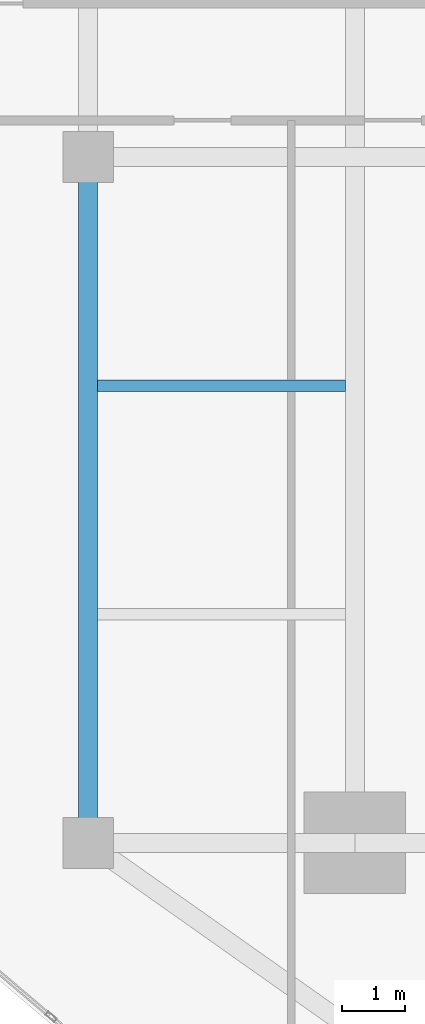
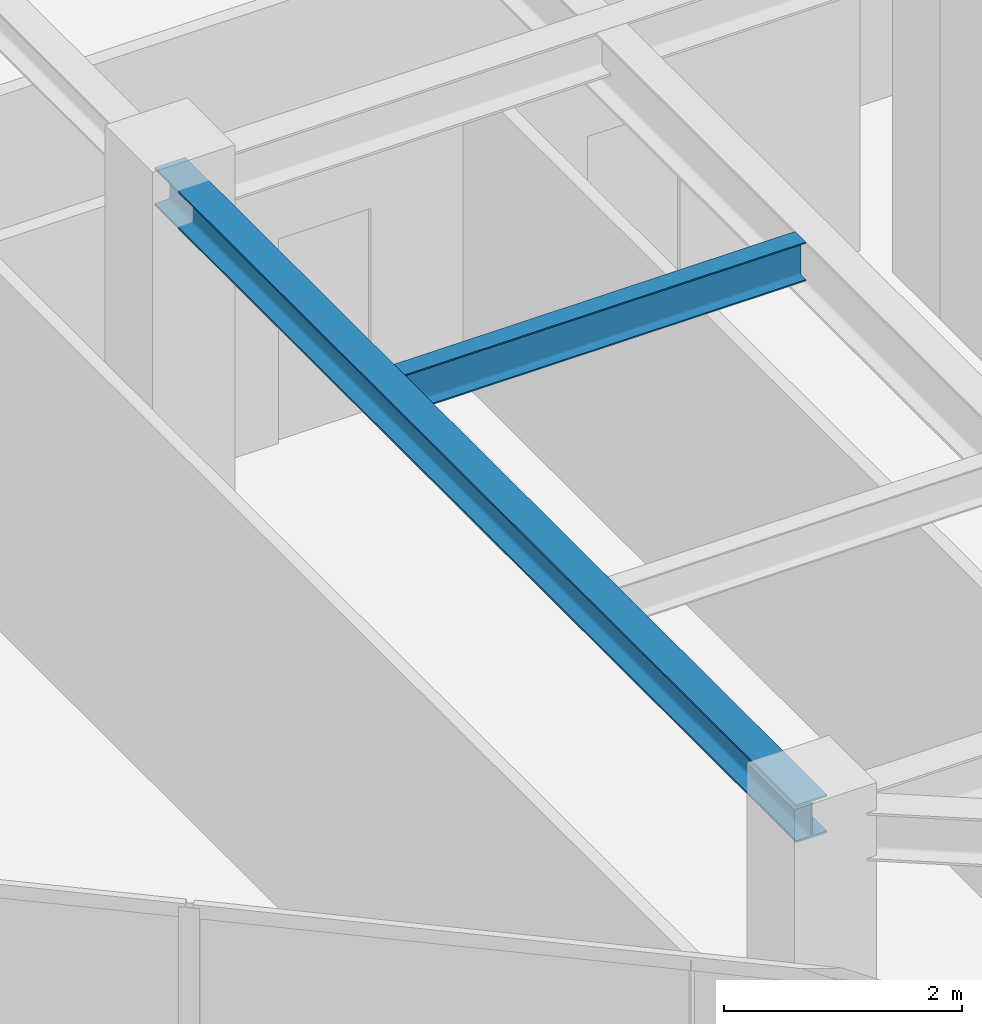
# One storey, part 7 of 26: 2 beams.
"""IFC4 building model written with IfcOpenShell, lengths in metres."""

import ifcopenshell
import ifcopenshell.guid

model = None  # the IFC model being written
_history = None  # IfcOwnerHistory: only IFC2X3 demands one
_inside = {}  # id of a spatial element -> (the spatial element, [elements in it])
_under = {}  # id of a project, library or spatial element -> (it, [spatial elements below it])
_declared = {}  # id of a project -> (the project, [libraries it declares])
_typed = {}  # id of a type object -> (the type object, [elements of that type])
_made_of = {}  # id of a material, layer set ... -> (it, [elements and type objects made of it])


def new_model(schema):
    """Start an empty IFC model of exactly this schema.

    Asked for "IFC4X3", IfcOpenShell would pick the latest addendum, in which some entities
    have other attributes; the version numbers below select the first issue.
    IFC2X3 requires an IfcOwnerHistory on every rooted entity: one is made here for all.
    """
    global model, _history
    if schema == "IFC4X3":
        model = ifcopenshell.file(schema_version=(4, 3, 0, 0))
    else:
        model = ifcopenshell.file(schema=schema)
    _inside.clear()
    _under.clear()
    _declared.clear()
    _typed.clear()
    _made_of.clear()
    _history = None
    if model.schema == "IFC2X3":
        org = make("IfcOrganization", Name="unknown")
        user = make(
            "IfcPersonAndOrganization",
            ThePerson=make("IfcPerson", FamilyName="unknown"),
            TheOrganization=org,
        )
        app = make(
            "IfcApplication",
            ApplicationDeveloper=org,
            Version="unknown",
            ApplicationFullName="unknown",
            ApplicationIdentifier="unknown",
        )
        _history = make(
            "IfcOwnerHistory",
            OwningUser=user,
            OwningApplication=app,
            ChangeAction="ADDED",
            CreationDate=0,
        )
    return model


def make(cls, **values):
    """One entity of the class cls with the attributes given. An attribute that is None is left unset."""
    return model.create_entity(
        cls, **{name: value for name, value in values.items() if value is not None}
    )


def rooted(cls, **values):
    """An entity with a GlobalId (a new one), such as an element, a storey or a relation."""
    return make(cls, GlobalId=ifcopenshell.guid.new(), OwnerHistory=_history, **values)


def si_unit(unit_type, name, prefix=None):
    """IfcSIUnit, for example si_unit("LENGTHUNIT", "METRE", prefix="MILLI")."""
    return make("IfcSIUnit", UnitType=unit_type, Prefix=prefix, Name=name)


def assignment(units):
    """IfcUnitAssignment: the units of a project."""
    return None if units is None else make("IfcUnitAssignment", Units=units)


def point(xyz):
    """IfcCartesianPoint."""
    return None if xyz is None else make("IfcCartesianPoint", Coordinates=xyz)


def direction(xyz):
    """IfcDirection."""
    return None if xyz is None else make("IfcDirection", DirectionRatios=xyz)


def frame(location, z_axis=None, x_axis=None):
    """IfcAxis2Placement3D, a coordinate frame: its origin and axes. An axis left out is left unset."""
    return make(
        "IfcAxis2Placement3D",
        Location=point(location),
        Axis=direction(z_axis),
        RefDirection=direction(x_axis),
    )


def frame_2d(location, x_axis=None):
    """IfcAxis2Placement2D, a coordinate frame in the plane: its origin and x axis."""
    return make(
        "IfcAxis2Placement2D", Location=point(location), RefDirection=direction(x_axis)
    )


def origin():
    """The frame at (0, 0, 0) with its axes left unset."""
    return frame((0.0, 0.0, 0.0))


def origin_2d():
    """The frame at (0, 0) in the plane with its x axis left unset."""
    return frame_2d((0.0, 0.0))


def place(relative_to, where):
    """IfcLocalPlacement: puts the frame where relative to a parent placement (None: the world)."""
    return make(
        "IfcLocalPlacement", PlacementRelTo=relative_to, RelativePlacement=where
    )


def context(
    kind, dimensions, precision=None, world=None, true_north=None, identifier=None
):
    """IfcGeometricRepresentationContext, for example the 3D "Model" context."""
    return make(
        "IfcGeometricRepresentationContext",
        ContextIdentifier=identifier,
        ContextType=kind,
        CoordinateSpaceDimension=dimensions,
        Precision=precision,
        WorldCoordinateSystem=world,
        TrueNorth=true_north,
    )


def subcontext(parent, identifier, kind, view, scale=None):
    """IfcGeometricRepresentationSubContext, for example "Body" below "Model"."""
    return make(
        "IfcGeometricRepresentationSubContext",
        ContextIdentifier=identifier,
        ContextType=kind,
        ParentContext=parent,
        TargetScale=scale,
        TargetView=view,
    )


def project(units=None, contexts=None):
    """IfcProject with its units and contexts."""
    return rooted(
        "IfcProject",
        Name="project",
        RepresentationContexts=contexts,
        UnitsInContext=assignment(units),
    )


def spatial(cls, under=None, at=None, **own):
    """A site, building, storey or space (cls), placed at a placement, below another one or the project."""
    s = rooted(cls, ObjectPlacement=at, **own)
    if under is not None:
        _under.setdefault(under.id(), (under, []))[1].append(s)
    return s


def profile(cls, at=None, kind="AREA", **sizes):
    """A parametric profile (cls). Its sizes go by their IFC names, for example OverallWidth=200.0."""
    return make(cls, ProfileType=kind, Position=at, **sizes)


def i_section(**sizes):
    """IfcIShapeProfileDef."""
    return profile("IfcIShapeProfileDef", **sizes)


def extrude(swept, where, along, depth):
    """IfcExtrudedAreaSolid: the profile swept, set in the frame where, extruded along a direction by depth."""
    return make(
        "IfcExtrudedAreaSolid",
        SweptArea=swept,
        Position=where,
        ExtrudedDirection=direction(along),
        Depth=depth,
    )


def shape(context_of_items, identifier, shape_type, items):
    """IfcShapeRepresentation: the items that make up one representation, for example the "Body"."""
    return make(
        "IfcShapeRepresentation",
        ContextOfItems=context_of_items,
        RepresentationIdentifier=identifier,
        RepresentationType=shape_type,
        Items=items,
    )


def source(mapping_origin, context_of_items, identifier, shape_type, items):
    """IfcRepresentationMap: a shape defined once, which mapped items show again and again."""
    return make(
        "IfcRepresentationMap",
        MappingOrigin=mapping_origin,
        MappedRepresentation=shape(context_of_items, identifier, shape_type, items),
    )


def transform(
    local_origin,
    x_axis=None,
    y_axis=None,
    z_axis=None,
    scale=None,
    scale2=None,
    scale3=None,
    uniform=True,
):
    """IfcCartesianTransformationOperator3D, or its non-uniform kind. x_axis, y_axis, z_axis: its Axis1, 2, 3."""
    if uniform:
        return make(
            "IfcCartesianTransformationOperator3D",
            Axis1=direction(x_axis),
            Axis2=direction(y_axis),
            LocalOrigin=point(local_origin),
            Scale=scale,
            Axis3=direction(z_axis),
        )
    return make(
        "IfcCartesianTransformationOperator3DnonUniform",
        Axis1=direction(x_axis),
        Axis2=direction(y_axis),
        LocalOrigin=point(local_origin),
        Scale=scale,
        Axis3=direction(z_axis),
        Scale2=scale2,
        Scale3=scale3,
    )


def mapped(mapping_source, mapping_target):
    """IfcMappedItem: shows the shape of a source again, moved by a transform."""
    return make(
        "IfcMappedItem", MappingSource=mapping_source, MappingTarget=mapping_target
    )


def material(Name=None, Category=None):
    """IfcMaterial."""
    return make("IfcMaterial", Name=Name, Category=Category)


def material_profile(
    of_material, cross_section, Name=None, Category=None, Priority=None
):
    """IfcMaterialProfile: a cross section and its material."""
    return make(
        "IfcMaterialProfile",
        Name=Name,
        Material=of_material,
        Profile=cross_section,
        Priority=Priority,
        Category=Category,
    )


def profile_set(profiles, Name=None, composite=None):
    """IfcMaterialProfileSet."""
    return make(
        "IfcMaterialProfileSet",
        Name=Name,
        MaterialProfiles=profiles,
        CompositeProfile=composite,
    )


def made_of(thing, what):
    """Note that an element or type object is made of a material, layer set ...; save() writes the relation."""
    if what is not None:
        _made_of.setdefault(what.id(), (what, []))[1].append(thing)
    return thing


def type_object(cls, material=None, **own):
    """A type object (cls), such as IfcWallType, which elements share."""
    return made_of(rooted(cls, **own), material)


def type_shapes(of_type, sources):
    """Give a type object the sources (RepresentationMaps) that its elements show as mapped items."""
    of_type.RepresentationMaps = sources


def element(
    cls,
    number,
    at=None,
    inside=None,
    cuts=None,
    type_object=None,
    material=None,
    context=None,
    identifier="Body",
    shape_type=None,
    held_by="IfcProductDefinitionShape",
    body=None,
    shapes=None,
    **own,
):
    """One element of the class cls, such as IfcWall. Its Tag is "e" and its number.

    at: its placement. inside: the storey or other place that contains it. cuts: it is an
    opening in that element (IfcRelVoidsElement). A single representation is given by context,
    identifier, shape_type and body (its items); several are given by shapes. held_by: the class
    of the entity that holds the representations. save() writes the other relations.
    """
    e = rooted(cls, Tag="e%d" % number, ObjectPlacement=at, **own)
    if body is not None:
        shapes = [shape(context, identifier, shape_type, body)]
    if shapes is not None:
        e.Representation = make(held_by, Representations=shapes)
    if inside is not None:
        _inside.setdefault(inside.id(), (inside, []))[1].append(e)
    if cuts is not None:
        rooted(
            "IfcRelVoidsElement", RelatingBuildingElement=cuts, RelatedOpeningElement=e
        )
    if type_object is not None:
        _typed.setdefault(type_object.id(), (type_object, []))[1].append(e)
    return made_of(e, material)


def aggregate(whole, parts):
    """IfcRelAggregates: a whole, such as a stair, and the parts it consists of."""
    return rooted("IfcRelAggregates", RelatingObject=whole, RelatedObjects=parts)


def save(model, path):
    """Write the relations noted so far, then the file.

    IfcRelAggregates (storeys below a building ...), IfcRelContainedInSpatialStructure (elements
    in a storey), IfcRelDefinesByType, IfcRelAssociatesMaterial and IfcRelDeclares: one each for
    every whole, place, type object, material and project.
    """
    for whole, parts in _under.values():
        aggregate(whole, parts)
    for where, things in _inside.values():
        rooted(
            "IfcRelContainedInSpatialStructure",
            RelatedElements=things,
            RelatingStructure=where,
        )
    for kind, things in _typed.values():
        rooted("IfcRelDefinesByType", RelatedObjects=things, RelatingType=kind)
    for what, things in _made_of.values():
        rooted("IfcRelAssociatesMaterial", RelatedObjects=things, RelatingMaterial=what)
    for by, libraries in _declared.values():
        rooted("IfcRelDeclares", RelatingContext=by, RelatedDefinitions=libraries)
    model.write(path)


model = new_model("IFC4")

# Units and contexts
model_context = context("Model", 3, precision=1e-05, world=origin(), true_north=direction((0.0, 1.0)))
body_context = subcontext(model_context, "Body", "Model", "MODEL_VIEW")
ifc_project = project(units=[si_unit("LENGTHUNIT", "METRE"), si_unit("AREAUNIT", "SQUARE_METRE"), si_unit("VOLUMEUNIT", "CUBIC_METRE"), si_unit("PLANEANGLEUNIT", "RADIAN"), si_unit("MASSUNIT", "GRAM", prefix="KILO")], contexts=[model_context])

# Site, building, storey
site_placement = place(None, origin())
site = spatial("IfcSite", under=ifc_project, at=site_placement, CompositionType="ELEMENT")
building_placement = place(site_placement, origin())
building = spatial("IfcBuilding", under=site, at=building_placement, Name="Krantzveldt Concourse Tower", CompositionType="ELEMENT")
storey_placement = place(building_placement, frame((0.0, 0.0, 207.300048828125)))
storey = spatial("IfcBuildingStorey", under=building, at=storey_placement, Name="L50", CompositionType="ELEMENT", Elevation=207.300048828125)

# Beams
ifc_material = material(Name="Steel S355JR", Category="steel")
ifc_material_profile_1 = material_profile(ifc_material, i_section(OverallWidth=0.300048828125, OverallDepth=0.389892578125, WebThickness=0.010986328125, FlangeThickness=0.01904296875, FilletRadius=0.027099609375, at=origin_2d()), Name="Steel S355JR", Category="steel")
ifc_profile_set_1 = profile_set([ifc_material_profile_1], Name="Steel S355JR - HEA 400")
beam_type_1 = type_object("IfcBeamType", Name="BM-SP-HEA400", PredefinedType="SPANDREL", material=ifc_profile_set_1)
shared_shape_1 = source(origin(), body_context, "Body", "SweptSolid", [
    extrude(i_section(OverallWidth=0.300048828125, OverallDepth=0.389892578125, WebThickness=0.010986328125, FlangeThickness=0.01904296875, FilletRadius=0.027099609375, at=origin_2d()), origin(), (0.0, 0.0, 1.0), 10.800048828125),
])
type_shapes(beam_type_1, [shared_shape_1])
beam_1_placement = place(storey_placement, frame((21.0, 15.89990234375, 3.474853515625), z_axis=(0.0, 1.0, 0.0), x_axis=(-1.0, 0.0, 0.0)))
element("IfcBeam", 1, at=beam_1_placement, inside=storey, type_object=beam_type_1, Name="L50 Tower Girder SP-R01", PredefinedType="SPANDREL", context=body_context, shape_type="MappedRepresentation", body=[
    mapped(shared_shape_1, transform((0.0, 0.0, 0.0), x_axis=(1.0, 0.0, 0.0), y_axis=(0.0, 1.0, 0.0), z_axis=(0.0, 0.0, 1.0), scale=1.0)),
])
ifc_material_profile_2 = material_profile(ifc_material, i_section(OverallWidth=0.179931640625, OverallDepth=0.39990234375, WebThickness=0.008544921875, FlangeThickness=0.013427734375, FilletRadius=0.02099609375, at=origin_2d()), Name="Steel S355JR", Category="steel")
ifc_profile_set_2 = profile_set([ifc_material_profile_2], Name="Steel S355JR - IPE 400")
beam_type_2 = type_object("IfcBeamType", Name="BM-J-IPE400", PredefinedType="JOIST", material=ifc_profile_set_2)
shared_shape_2 = source(origin(), body_context, "Body", "SweptSolid", [
    extrude(i_section(OverallWidth=0.179931640625, OverallDepth=0.39990234375, WebThickness=0.008544921875, FlangeThickness=0.013427734375, FilletRadius=0.02099609375, at=origin_2d()), origin(), (0.0, 0.0, 1.0), 3.900146484375),
])
type_shapes(beam_type_2, [shared_shape_2])
beam_2_placement = place(storey_placement, frame((21.14990234375, 23.10009765625, 3.469970703125), z_axis=(1.0, 0.0, 0.0), x_axis=(0.0, 1.0, 0.0)))
element("IfcBeam", 2, at=beam_2_placement, inside=storey, type_object=beam_type_2, Name="L50 Secondary Floor Joist JW-2", PredefinedType="JOIST", context=body_context, shape_type="MappedRepresentation", body=[
    mapped(shared_shape_2, transform((0.0, 0.0, 0.0), x_axis=(1.0, 0.0, 0.0), y_axis=(0.0, 1.0, 0.0), z_axis=(0.0, 0.0, 1.0), scale=1.0)),
])

save(model, "model.ifc")
